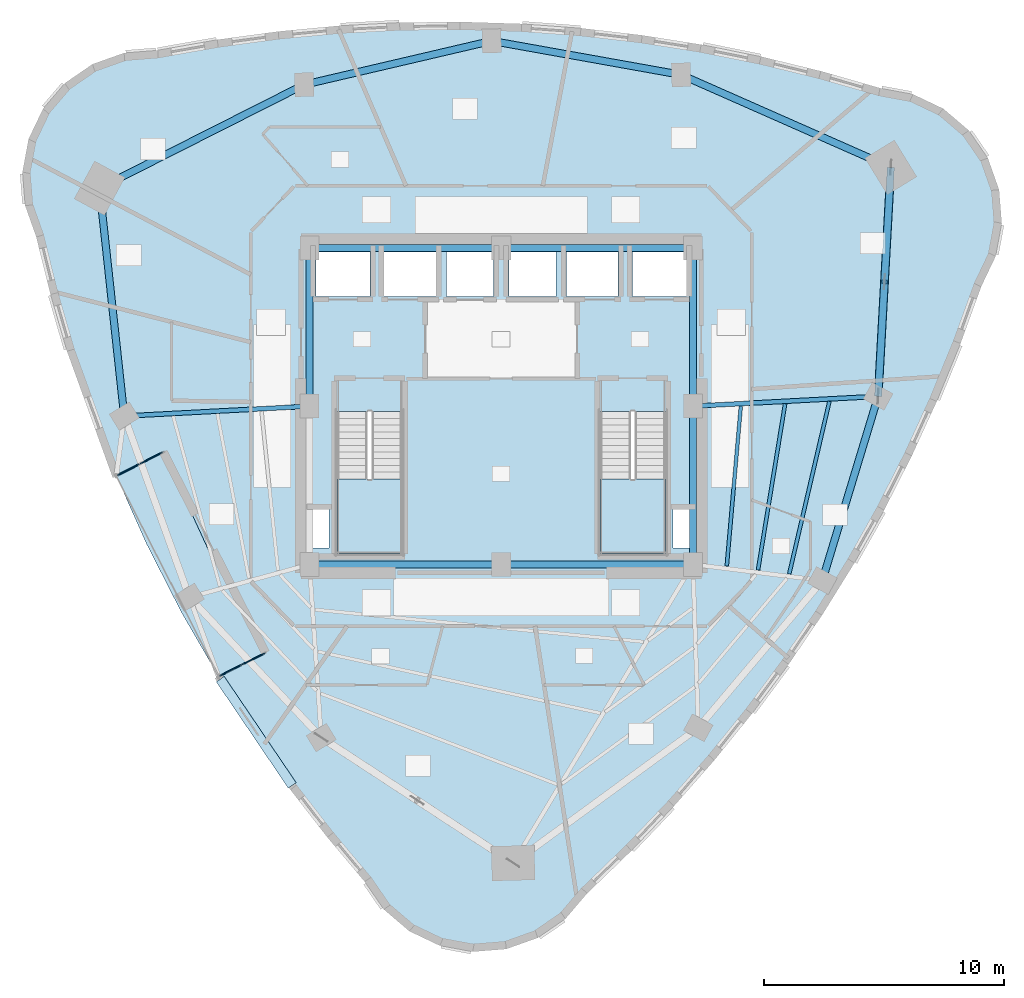
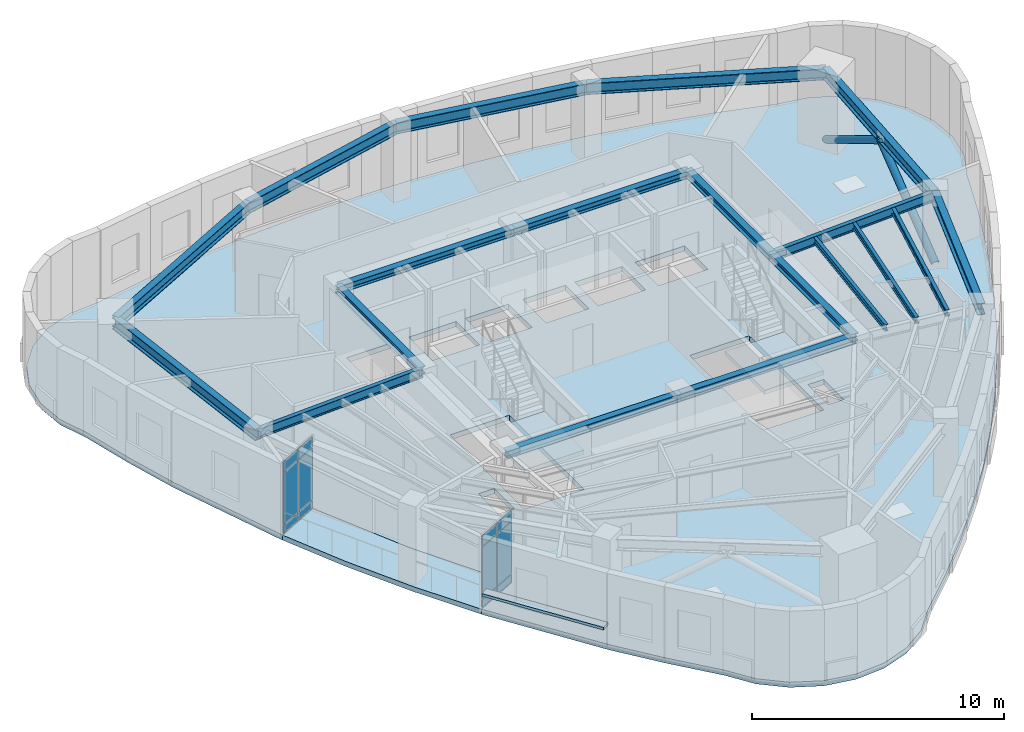
# One storey, part 5 of 13: 19 beams, 13 plates, 4 slabs, 2 members, 4 elements without a shape of their own.
"""IFC4 building model written with IfcOpenShell, lengths in metres."""

from ifc_helpers import new_model, si_unit, direction, frame, origin, origin_2d, place, context, subcontext, project, spatial, polyline, rectangle, hollow_circle, i_section, outline, extrude, material, layer, layer_set, material_profile, profile_set, type_object, element, aggregate, save


model = new_model("IFC4")

# Units and contexts
model_context = context("Model", 3, precision=1e-05, world=origin(), true_north=direction((0.0, 1.0)))
body_context = subcontext(model_context, "Body", "Model", "MODEL_VIEW")
ifc_project = project(units=[si_unit("LENGTHUNIT", "METRE"), si_unit("AREAUNIT", "SQUARE_METRE"), si_unit("VOLUMEUNIT", "CUBIC_METRE"), si_unit("PLANEANGLEUNIT", "RADIAN"), si_unit("MASSUNIT", "GRAM", prefix="KILO")], contexts=[model_context])

# Site, building, storey
site_placement = place(None, origin())
site = spatial("IfcSite", under=ifc_project, at=site_placement, CompositionType="ELEMENT")
building_placement = place(site_placement, origin())
building = spatial("IfcBuilding", under=site, at=building_placement, Name="Ndelora Gate Hotel", CompositionType="ELEMENT")
storey_placement = place(building_placement, frame((0.0, 0.0, 197.949951171875)))
storey = spatial("IfcBuildingStorey", under=building, at=storey_placement, Name="L49", CompositionType="ELEMENT", Elevation=197.949951171875)

# Beams
ifc_material_1 = material(Name="Steel S355", Category="steel")
ifc_material_profile_1 = material_profile(ifc_material_1, i_section(OverallWidth=0.300048828125, OverallDepth=0.35009765625, WebThickness=0.010009765625, FlangeThickness=0.017578125, FilletRadius=0.027099609375, at=origin_2d()), Name="HEA 360")
ifc_profile_set_1 = profile_set([ifc_material_profile_1], Name="Steel S355")
beam_type_1 = type_object("IfcBeamType", Name="BM-CORE-350", PredefinedType="BEAM", material=ifc_profile_set_1)
for number, where, z_axis, x_axis, name in (
    (1, (-8.0, 6.60009765625, 3.375), (1.0, 0.0, 0.0), (0.0, 1.0, 0.0), "L49 Core Tie Girder CC7-CC6"),
    (2, (0.0, 6.60009765625, 3.375), (1.0, 0.0, 0.0), (0.0, 1.0, 0.0), "L49 Core Tie Girder CC6-CC5"),
):
    element("IfcBeam", number, at=place(storey_placement, frame(where, z_axis=z_axis, x_axis=x_axis)), inside=storey, type_object=beam_type_1, Name=name, PredefinedType="BEAM", context=body_context, shape_type="SweptSolid", body=[
        extrude(i_section(OverallWidth=0.300048828125, OverallDepth=0.35009765625, WebThickness=0.010009765625, FlangeThickness=0.017578125, FilletRadius=0.027099609375, at=origin_2d()), origin(), (0.0, 0.0, 1.0), 8.0),
    ])
for number, where, z_axis, x_axis, name in (
    (3, (-8.0, 0.0, 3.375), (0.0, 1.0, 0.0), (-1.0, 0.0, 0.0), "L49 Core Tie Girder CC8-CC7"),
    (4, (8.0, -6.60009765625, 3.375), (0.0, 1.0, 0.0), (-1.0, 0.0, 0.0), "L49 Core Tie Girder CC3-CC4"),
    (5, (8.0, 0.0, 3.375), (0.0, 1.0, 0.0), (-1.0, 0.0, 0.0), "L49 Core Tie Girder CC4-CC5"),
):
    element("IfcBeam", number, at=place(storey_placement, frame(where, z_axis=z_axis, x_axis=x_axis)), inside=storey, type_object=beam_type_1, Name=name, PredefinedType="BEAM", context=body_context, shape_type="SweptSolid", body=[
        extrude(i_section(OverallWidth=0.300048828125, OverallDepth=0.35009765625, WebThickness=0.010009765625, FlangeThickness=0.017578125, FilletRadius=0.027099609375, at=origin_2d()), origin(), (0.0, 0.0, 1.0), 6.60009765625),
    ])
for number, where, z_axis, x_axis, name in (
    (6, (-8.0, -6.60009765625, 3.375), (1.0, 0.0, 0.0), (0.0, 1.0, 0.0), "L49 Core Tie Girder CC1-CC2"),
    (7, (0.0, -6.60009765625, 3.375), (1.0, 0.0, 0.0), (0.0, 1.0, 0.0), "L49 Core Tie Girder CC2-CC3"),
):
    element("IfcBeam", number, at=place(storey_placement, frame(where, z_axis=z_axis, x_axis=x_axis)), inside=storey, type_object=beam_type_1, Name=name, PredefinedType="BEAM", context=body_context, shape_type="SweptSolid", body=[
        extrude(i_section(OverallWidth=0.300048828125, OverallDepth=0.35009765625, WebThickness=0.010009765625, FlangeThickness=0.017578125, FilletRadius=0.027099609375, at=origin_2d()), origin(), (0.0, 0.0, 1.0), 8.0),
    ])
ifc_material_profile_2 = material_profile(ifc_material_1, i_section(OverallWidth=0.14990234375, OverallDepth=0.300048828125, WebThickness=0.007080078125, FlangeThickness=0.0107421875, FilletRadius=0.014892578125, at=origin_2d()), Name="IPE 300")
ifc_profile_set_2 = profile_set([ifc_material_profile_2], Name="Steel S355")
beam_type_2 = type_object("IfcBeamType", Name="BM-JST-300", PredefinedType="JOIST", material=ifc_profile_set_2)
beam_1_placement = place(storey_placement, frame((9.413330078125, -6.671142578125, 3.400146484375), z_axis=(0.087643872384, 0.996151871771, 0.0), x_axis=(-0.996151871771, 0.087643872384, 0.0)))
element("IfcBeam", 8, at=beam_1_placement, inside=storey, type_object=beam_type_2, Name="L49 Secondary Composite Floor Joist IN-7", PredefinedType="JOIST", context=body_context, shape_type="SweptSolid", body=[
    extrude(i_section(OverallWidth=0.14990234375, OverallDepth=0.300048828125, WebThickness=0.007080078125, FlangeThickness=0.0107421875, FilletRadius=0.014892578125, at=origin_2d()), origin(), (0.0, 0.0, 1.0), 6.699462890625),
])
beam_2_placement = place(storey_placement, frame((10.717041015625, -6.834228515625, 3.400146484375), z_axis=(0.160939239626, 0.986964316046, 0.0), x_axis=(-0.986964316046, 0.160939239626, 0.0)))
element("IfcBeam", 9, at=beam_2_placement, inside=storey, type_object=beam_type_2, Name="L49 Secondary Composite Floor Joist MID-7", PredefinedType="JOIST", context=body_context, shape_type="SweptSolid", body=[
    extrude(i_section(OverallWidth=0.14990234375, OverallDepth=0.300048828125, WebThickness=0.007080078125, FlangeThickness=0.0107421875, FilletRadius=0.014892578125, at=origin_2d()), origin(), (0.0, 0.0, 1.0), 7.028076171875),
])
beam_3_placement = place(storey_placement, frame((12.02001953125, -6.997802734375, 3.400146484375), z_axis=(0.22674518397, 0.973954116756, 0.0), x_axis=(-0.973954116756, 0.22674518397, 0.0)))
element("IfcBeam", 10, at=beam_3_placement, inside=storey, type_object=beam_type_2, Name="L49 Secondary Composite Floor Joist OUT-7", PredefinedType="JOIST", context=body_context, shape_type="SweptSolid", body=[
    extrude(i_section(OverallWidth=0.14990234375, OverallDepth=0.300048828125, WebThickness=0.007080078125, FlangeThickness=0.0107421875, FilletRadius=0.014892578125, at=origin_2d()), origin(), (0.0, 0.0, 1.0), 7.392822265625),
])
ifc_material_profile_3 = material_profile(ifc_material_1, i_section(OverallWidth=0.18994140625, OverallDepth=0.449951171875, WebThickness=0.009521484375, FlangeThickness=0.0146484375, FilletRadius=0.02099609375, at=origin_2d()), Name="IPE 450")
ifc_profile_set_3 = profile_set([ifc_material_profile_3], Name="Steel S355")
beam_type_3 = type_object("IfcBeamType", Name="BM-RAD-450", PredefinedType="BEAM", material=ifc_profile_set_3)
for number, where, z_axis, x_axis, name in (
    (11, (-8.0, 0.0, 3.324951171875), (-0.998583554121, -0.053206065814, 0.0), (0.053206065814, -0.998583554121, 0.0), "L49 Radial Floor Girder 2"),
    (12, (8.0, 0.0, 3.324951171875), (0.998583554121, 0.053206065814, 0.0), (-0.053206065814, 0.998583554121, 0.0), "L49 Radial Floor Girder 8"),
):
    element("IfcBeam", number, at=place(storey_placement, frame(where, z_axis=z_axis, x_axis=x_axis)), inside=storey, type_object=beam_type_3, Name=name, PredefinedType="BEAM", context=body_context, shape_type="SweptSolid", body=[
        extrude(i_section(OverallWidth=0.18994140625, OverallDepth=0.449951171875, WebThickness=0.009521484375, FlangeThickness=0.0146484375, FilletRadius=0.02099609375, at=origin_2d()), origin(), (0.0, 0.0, 1.0), 7.740966796875),
    ])
ifc_material_profile_4 = material_profile(ifc_material_1, i_section(OverallWidth=0.300048828125, OverallDepth=0.550048828125, WebThickness=0.014892578125, FlangeThickness=0.029052734375, FilletRadius=0.027099609375, at=origin_2d()), Name="HEB 550")
ifc_profile_set_4 = profile_set([ifc_material_profile_4], Name="Steel S355")
beam_type_4 = type_object("IfcBeamType", Name="BM-RING-550", PredefinedType="SPANDREL", material=ifc_profile_set_4)
beam_4_placement = place(storey_placement, frame((-16.759521484375, 9.099609375, 3.275146484375), z_axis=(0.107613416645, -0.994192814578, 0.0), x_axis=(0.994192814578, 0.107613416645, 0.0)))
element("IfcBeam", 13, at=beam_4_placement, inside=storey, type_object=beam_type_4, Name="L49 Perimeter Spandrel Girder 1", PredefinedType="SPANDREL", context=body_context, shape_type="SweptSolid", body=[
    extrude(i_section(OverallWidth=0.300048828125, OverallDepth=0.550048828125, WebThickness=0.014892578125, FlangeThickness=0.029052734375, FilletRadius=0.027099609375, at=origin_2d()), origin(), (0.0, 0.0, 1.0), 9.567138671875),
])
beam_5_placement = place(storey_placement, frame((13.400390625, -7.275634765625, 3.275146484375), z_axis=(0.290012456561, 0.957022870698, 0.0), x_axis=(-0.957022870698, 0.290012456561, 0.0)))
element("IfcBeam", 14, at=beam_5_placement, inside=storey, type_object=beam_type_4, Name="L49 Perimeter Spandrel Girder 7", PredefinedType="SPANDREL", context=body_context, shape_type="SweptSolid", body=[
    extrude(i_section(OverallWidth=0.300048828125, OverallDepth=0.550048828125, WebThickness=0.014892578125, FlangeThickness=0.029052734375, FilletRadius=0.027099609375, at=origin_2d()), origin(), (0.0, 0.0, 1.0), 8.03271484375),
])
beam_6_placement = place(storey_placement, frame((15.72998046875, 0.411865234375, 3.275146484375), z_axis=(0.055426206248, 0.998462786318, 0.0), x_axis=(-0.998462786318, 0.055426206248, 0.0)))
element("IfcBeam", 15, at=beam_6_placement, inside=storey, type_object=beam_type_4, Name="L49 Perimeter Spandrel Girder 8", PredefinedType="SPANDREL", context=body_context, shape_type="SweptSolid", body=[
    extrude(i_section(OverallWidth=0.300048828125, OverallDepth=0.550048828125, WebThickness=0.014892578125, FlangeThickness=0.029052734375, FilletRadius=0.027099609375, at=origin_2d()), origin(), (0.0, 0.0, 1.0), 9.567138671875),
])
beam_7_placement = place(storey_placement, frame((16.26025390625, 9.96435546875, 3.275146484375), z_axis=(-0.914807449647, 0.403890245078, 0.0), x_axis=(-0.403890245078, -0.914807449647, 0.0)))
element("IfcBeam", 16, at=beam_7_placement, inside=storey, type_object=beam_type_4, Name="L49 Perimeter Spandrel Girder 9", PredefinedType="SPANDREL", context=body_context, shape_type="SweptSolid", body=[
    extrude(i_section(OverallWidth=0.300048828125, OverallDepth=0.550048828125, WebThickness=0.014892578125, FlangeThickness=0.029052734375, FilletRadius=0.027099609375, at=origin_2d()), origin(), (0.0, 0.0, 1.0), 9.56689453125),
])
for number, where, z_axis, x_axis, name in (
    (17, (7.50830078125, 13.828369140625, 3.275146484375), (-0.984373619655, 0.176092523767, 0.0), (-0.176092523767, -0.984373619655, 0.0), "L49 Perimeter Spandrel Girder 10"),
    (18, (-0.399169921875, 15.242919921875, 3.275146484375), (-0.973809142107, -0.227367004529, 0.0), (0.227367004529, -0.973809142107, 0.0), "L49 Perimeter Spandrel Girder 11"),
):
    element("IfcBeam", number, at=place(storey_placement, frame(where, z_axis=z_axis, x_axis=x_axis)), inside=storey, type_object=beam_type_4, Name=name, PredefinedType="SPANDREL", context=body_context, shape_type="SweptSolid", body=[
        extrude(i_section(OverallWidth=0.300048828125, OverallDepth=0.550048828125, WebThickness=0.014892578125, FlangeThickness=0.029052734375, FilletRadius=0.027099609375, at=origin_2d()), origin(), (0.0, 0.0, 1.0), 8.032958984375),
    ])
beam_8_placement = place(storey_placement, frame((-8.2216796875, 13.41650390625, 3.275146484375), z_axis=(-0.89241242978, -0.451220628045, 0.0), x_axis=(0.451220628045, -0.89241242978, 0.0)))
element("IfcBeam", 19, at=beam_8_placement, inside=storey, type_object=beam_type_4, Name="L49 Perimeter Spandrel Girder 12", PredefinedType="SPANDREL", context=body_context, shape_type="SweptSolid", body=[
    extrude(i_section(OverallWidth=0.300048828125, OverallDepth=0.550048828125, WebThickness=0.014892578125, FlangeThickness=0.029052734375, FilletRadius=0.027099609375, at=origin_2d()), origin(), (0.0, 0.0, 1.0), 9.567138671875),
])

# Members
ifc_material_profile_5 = material_profile(ifc_material_1, hollow_circle(Radius=0.161865234375, WallThickness=0.01611328125, at=origin_2d()), Name="CHS 323.9x16")
ifc_profile_set_5 = profile_set([ifc_material_profile_5], Name="Steel S355")
member_type = type_object("IfcMemberType", Name="MB-TUBE-324", PredefinedType="BRACE", material=ifc_profile_set_5)
member_1_placement = place(storey_placement, frame((15.72998046875, 0.411865234375, 0.02001953125), z_axis=(0.047045319089, 0.847465540823, 0.528761661876), x_axis=(-0.99846270792, 0.055427618504, 0.0)))
element("IfcMember", 20, at=member_1_placement, inside=storey, type_object=member_type, Name="L49 Perimeter Braced-Tube Diagonal 8A", PredefinedType="BRACE", context=body_context, shape_type="SweptSolid", body=[
    extrude(hollow_circle(Radius=0.161865234375, WallThickness=0.01611328125, at=origin_2d()), origin(), (0.0, 0.0, 1.0), 5.6357421875),
])
member_2_placement = place(storey_placement, frame((16.26025390625, 9.96435546875, 0.02001953125), z_axis=(-0.04704359201, -0.847477747768, 0.528742250524), x_axis=(0.998462864709, -0.055424794064, 0.0)))
element("IfcMember", 21, at=member_2_placement, inside=storey, type_object=member_type, Name="L49 Perimeter Braced-Tube Diagonal 8B", PredefinedType="BRACE", context=body_context, shape_type="SweptSolid", body=[
    extrude(hollow_circle(Radius=0.161865234375, WallThickness=0.01611328125, at=origin_2d()), origin(), (0.0, 0.0, 1.0), 5.635986328125),
])

# Curtain wall, plates
ifc_material_2 = material(Name="Bronze Anodised Unitised Aluminium and Low-E Glass", Category="aluminium")
ifc_layer_1 = layer(ifc_material_2, 0.199951171875)
ifc_layer_set_1 = layer_set([ifc_layer_1], Name="Bronze Anodised Unitised Aluminium and Low-E Glass")
curtain_wall_type = type_object("IfcCurtainWallType", Name="CW-SYS-3", PredefinedType="NOTDEFINED", material=ifc_layer_set_1)
curtain_wall_1_placement = place(storey_placement, origin())
curtain_wall_1 = element("IfcCurtainWall", 22, at=curtain_wall_1_placement, inside=storey, type_object=curtain_wall_type, Name="L49 Sky-Garden Loggia Side Curtain Wall CW3-1", PredefinedType="NOTDEFINED")
ifc_material_3 = material(Name="Solar-Control Low-E Insulated Glazing", Category="glass")
ifc_layer_2 = layer(ifc_material_3, 0.048095703125)
ifc_layer_set_2 = layer_set([ifc_layer_2], Name="Solar-Control Low-E Insulated Glazing")
plate_type_1 = type_object("IfcPlateType", Name="PL-CW-GLZ36", PredefinedType="CURTAIN_PANEL", material=ifc_layer_set_2)
plate_1_placement = place(storey_placement, frame((-14.6044921875, -2.166259765625, 0.05908203125), z_axis=(0.0, 0.0, 1.0), x_axis=(-0.891001336507, -0.454000680995, 0.0)))
plate_1 = element("IfcPlate", 23, at=plate_1_placement, type_object=plate_type_1, Name="CW3 panel 1.1", PredefinedType="CURTAIN_PANEL", context=body_context, shape_type="SweptSolid", body=[
    extrude(rectangle(XDim=1.014404296875, YDim=0.048095703125, at=origin_2d()), origin(), (0.0, 0.0, 1.0), 0.364501953125),
])
plate_2_placement = place(storey_placement, frame((-14.6044921875, -2.166259765625, 0.4765625), z_axis=(0.0, 0.0, 1.0), x_axis=(-0.891001336507, -0.454000680995, 0.0)))
plate_2 = element("IfcPlate", 24, at=plate_2_placement, type_object=plate_type_1, Name="CW3 panel 1.2", PredefinedType="CURTAIN_PANEL", context=body_context, shape_type="SweptSolid", body=[
    extrude(rectangle(XDim=1.014404296875, YDim=0.048095703125, at=origin_2d()), origin(), (0.0, 0.0, 1.0), 2.4970703125),
])
plate_3_placement = place(storey_placement, frame((-14.6044921875, -2.166259765625, 3.0263671875), z_axis=(0.0, 0.0, 1.0), x_axis=(-0.891001336507, -0.454000680995, 0.0)))
plate_3 = element("IfcPlate", 25, at=plate_3_placement, type_object=plate_type_1, Name="CW3 panel 1.3", PredefinedType="CURTAIN_PANEL", context=body_context, shape_type="SweptSolid", body=[
    extrude(rectangle(XDim=1.014404296875, YDim=0.048095703125, at=origin_2d()), origin(), (0.0, 0.0, 1.0), 0.464599609375),
])
plate_4_placement = place(storey_placement, frame((-15.5556640625, -2.651123046875, 0.05908203125), z_axis=(0.0, 0.0, 1.0), x_axis=(-0.891001336507, -0.454000680995, 0.0)))
plate_4 = element("IfcPlate", 26, at=plate_4_placement, type_object=plate_type_1, Name="CW3 panel 2.1", PredefinedType="CURTAIN_PANEL", context=body_context, shape_type="SweptSolid", body=[
    extrude(rectangle(XDim=1.014404296875, YDim=0.048095703125, at=origin_2d()), origin(), (0.0, 0.0, 1.0), 0.364501953125),
])
plate_5_placement = place(storey_placement, frame((-15.5556640625, -2.651123046875, 0.4765625), z_axis=(0.0, 0.0, 1.0), x_axis=(-0.891001336507, -0.454000680995, 0.0)))
plate_5 = element("IfcPlate", 27, at=plate_5_placement, type_object=plate_type_1, Name="CW3 panel 2.2", PredefinedType="CURTAIN_PANEL", context=body_context, shape_type="SweptSolid", body=[
    extrude(rectangle(XDim=1.014404296875, YDim=0.048095703125, at=origin_2d()), origin(), (0.0, 0.0, 1.0), 2.4970703125),
])
plate_6_placement = place(storey_placement, frame((-15.5556640625, -2.651123046875, 3.0263671875), z_axis=(0.0, 0.0, 1.0), x_axis=(-0.891001336507, -0.454000680995, 0.0)))
plate_6 = element("IfcPlate", 28, at=plate_6_placement, type_object=plate_type_1, Name="CW3 panel 2.3", PredefinedType="CURTAIN_PANEL", context=body_context, shape_type="SweptSolid", body=[
    extrude(rectangle(XDim=1.014404296875, YDim=0.048095703125, at=origin_2d()), origin(), (0.0, 0.0, 1.0), 0.464599609375),
])
aggregate(curtain_wall_1, [plate_1, plate_2, plate_3, plate_4, plate_5, plate_6])

curtain_wall_2_placement = place(storey_placement, origin())
curtain_wall_2 = element("IfcCurtainWall", 29, at=curtain_wall_2_placement, inside=storey, type_object=curtain_wall_type, Name="L49 Sky-Garden Loggia Side Curtain Wall CW3-2", PredefinedType="NOTDEFINED")
plate_7_placement = place(storey_placement, frame((-11.2880859375, -11.026611328125, 0.05908203125), z_axis=(0.0, 0.0, 1.0), x_axis=(0.891001336507, 0.454000680995, 0.0)))
plate_7 = element("IfcPlate", 30, at=plate_7_placement, type_object=plate_type_1, Name="CW3 panel 1.1", PredefinedType="CURTAIN_PANEL", context=body_context, shape_type="SweptSolid", body=[
    extrude(rectangle(XDim=1.014404296875, YDim=0.048095703125, at=origin_2d()), origin(), (0.0, 0.0, 1.0), 0.364501953125),
])
plate_8_placement = place(storey_placement, frame((-11.2880859375, -11.026611328125, 0.4765625), z_axis=(0.0, 0.0, 1.0), x_axis=(0.891001336507, 0.454000680995, 0.0)))
plate_8 = element("IfcPlate", 31, at=plate_8_placement, type_object=plate_type_1, Name="CW3 panel 1.2", PredefinedType="CURTAIN_PANEL", context=body_context, shape_type="SweptSolid", body=[
    extrude(rectangle(XDim=1.014404296875, YDim=0.048095703125, at=origin_2d()), origin(), (0.0, 0.0, 1.0), 2.4970703125),
])
plate_9_placement = place(storey_placement, frame((-11.2880859375, -11.026611328125, 3.0263671875), z_axis=(0.0, 0.0, 1.0), x_axis=(0.891001336507, 0.454000680995, 0.0)))
plate_9 = element("IfcPlate", 32, at=plate_9_placement, type_object=plate_type_1, Name="CW3 panel 1.3", PredefinedType="CURTAIN_PANEL", context=body_context, shape_type="SweptSolid", body=[
    extrude(rectangle(XDim=1.014404296875, YDim=0.048095703125, at=origin_2d()), origin(), (0.0, 0.0, 1.0), 0.464599609375),
])
plate_10_placement = place(storey_placement, frame((-10.3369140625, -10.5419921875, 0.05908203125), z_axis=(0.0, 0.0, 1.0), x_axis=(0.891001336507, 0.454000680995, 0.0)))
plate_10 = element("IfcPlate", 33, at=plate_10_placement, type_object=plate_type_1, Name="CW3 panel 2.1", PredefinedType="CURTAIN_PANEL", context=body_context, shape_type="SweptSolid", body=[
    extrude(rectangle(XDim=1.014404296875, YDim=0.048095703125, at=origin_2d()), origin(), (0.0, 0.0, 1.0), 0.364501953125),
])
plate_11_placement = place(storey_placement, frame((-10.3369140625, -10.5419921875, 0.4765625), z_axis=(0.0, 0.0, 1.0), x_axis=(0.891001336507, 0.454000680995, 0.0)))
plate_11 = element("IfcPlate", 34, at=plate_11_placement, type_object=plate_type_1, Name="CW3 panel 2.2", PredefinedType="CURTAIN_PANEL", context=body_context, shape_type="SweptSolid", body=[
    extrude(rectangle(XDim=1.014404296875, YDim=0.048095703125, at=origin_2d()), origin(), (0.0, 0.0, 1.0), 2.4970703125),
])
plate_12_placement = place(storey_placement, frame((-10.3369140625, -10.5419921875, 3.0263671875), z_axis=(0.0, 0.0, 1.0), x_axis=(0.891001336507, 0.454000680995, 0.0)))
plate_12 = element("IfcPlate", 35, at=plate_12_placement, type_object=plate_type_1, Name="CW3 panel 2.3", PredefinedType="CURTAIN_PANEL", context=body_context, shape_type="SweptSolid", body=[
    extrude(rectangle(XDim=1.014404296875, YDim=0.048095703125, at=origin_2d()), origin(), (0.0, 0.0, 1.0), 0.464599609375),
])
aggregate(curtain_wall_2, [plate_7, plate_8, plate_9, plate_10, plate_11, plate_12])

# Plate
ifc_material_4 = material(Name="Precast concrete C40/50", Category="concrete")
ifc_layer_3 = layer(ifc_material_4, 0.125)
ifc_layer_set_3 = layer_set([ifc_layer_3], Name="Precast concrete C40/50")
plate_type_2 = type_object("IfcPlateType", Name="PL-SILL-120", PredefinedType="USERDEFINED", material=ifc_layer_set_3)
plate_13_placement = place(storey_placement, frame((-10.220458984375, -13.6044921875, 0.78759765625), z_axis=(0.0, 0.0, 1.0), x_axis=(-0.560783509816, 0.827962472047, 0.0)))
element("IfcPlate", 36, at=plate_13_placement, inside=storey, type_object=plate_type_2, Name="L49 Streamline Precast Ribbon Sill 16", ObjectType="RIBBON_SILL", PredefinedType="USERDEFINED", context=body_context, shape_type="SweptSolid", body=[
    extrude(rectangle(XDim=5.35693359375, YDim=0.39990234375, at=origin_2d()), origin(), (0.0, 0.0, 1.0), 0.125),
])

# Stair, slab
stair_type = type_object("IfcStairType", Name="STR-DOG-CORE", PredefinedType="HALF_TURN_STAIR", material=ifc_material_4)
stair_1_placement = place(storey_placement, origin())
stair_1 = element("IfcStair", 37, at=stair_1_placement, inside=storey, type_object=stair_type, Name="L49 Protected Core Exit Stair ST4", PredefinedType="HALF_TURN_STAIR")
ifc_layer_4 = layer(ifc_material_4, 0.219970703125)
ifc_layer_set_4 = layer_set([ifc_layer_4], Name="Precast concrete C40/50")
slab_type_1 = type_object("IfcSlabType", Name="SL-LAND-220", PredefinedType="LANDING", material=ifc_layer_set_4)
slab_1_placement = place(storey_placement, frame((0.0, 0.0, 1.699951171875)))
slab_1 = element("IfcSlab", 38, at=slab_1_placement, type_object=slab_type_1, Name="ST4 landing 1", PredefinedType="LANDING", context=body_context, shape_type="SweptSolid", body=[
    extrude(outline(polyline([(-6.85009765625, -3.030029296875), (-6.85009765625, -6.14990234375), (-4.1298828125, -6.14990234375), (-4.1298828125, -3.030029296875), (-6.85009765625, -3.030029296875)])), origin(), (0.0, 0.0, 1.0), 0.2001953125),
])
aggregate(stair_1, [slab_1])

stair_2_placement = place(storey_placement, origin())
stair_2 = element("IfcStair", 39, at=stair_2_placement, inside=storey, type_object=stair_type, Name="L49 Protected Core Exit Stair ST5", PredefinedType="HALF_TURN_STAIR")
slab_2_placement = place(storey_placement, frame((0.0, 0.0, 1.699951171875)))
slab_2 = element("IfcSlab", 40, at=slab_2_placement, type_object=slab_type_1, Name="ST5 landing 1", PredefinedType="LANDING", context=body_context, shape_type="SweptSolid", body=[
    extrude(outline(polyline([(4.1298828125, -3.030029296875), (4.1298828125, -6.14990234375), (6.85009765625, -6.14990234375), (6.85009765625, -3.030029296875), (4.1298828125, -3.030029296875)])), origin(), (0.0, 0.0, 1.0), 0.2001953125),
])
aggregate(stair_2, [slab_2])

# Slabs
ifc_layer_5 = layer(ifc_material_4, 0.239990234375)
ifc_layer_set_5 = layer_set([ifc_layer_5], Name="Precast concrete C40/50")
slab_type_2 = type_object("IfcSlabType", Name="SL-TER-240", PredefinedType="FLOOR", material=ifc_layer_set_5)
slab_3_placement = place(storey_placement, frame((0.0, 0.0, -0.239990234375)))
element("IfcSlab", 41, at=slab_3_placement, inside=storey, type_object=slab_type_2, Name="L49 Sky Garden Loggia Terrace Slab", PredefinedType="FLOOR", context=body_context, shape_type="SweptSolid", body=[
    extrude(outline(polyline([(-14.099853515625, -1.9091796875), (-16.06005859375, -2.908203125), (-14.797119140625, -5.74609375), (-13.345947265625, -8.593505859375), (-11.79248046875, -11.28369140625), (-9.83251953125, -10.284912109375), (-12.13037109375, -6.1806640625), (-14.099853515625, -1.9091796875)])), origin(), (0.0, 0.0, 1.0), 0.239990234375),
])
ifc_material_5 = material(Name="Concrete C40/50", Category="concrete")
ifc_layer_6 = layer(ifc_material_5, 0.25)
ifc_layer_set_6 = layer_set([ifc_layer_6], Name="Concrete C40/50")
slab_type_3 = type_object("IfcSlabType", Name="SL-TWR-250", PredefinedType="FLOOR", material=ifc_layer_set_6)
slab_4_placement = place(storey_placement, frame((0.0, 0.0, -0.25)))
element("IfcSlab", 42, at=slab_4_placement, inside=storey, type_object=slab_type_3, Name="L49 Structural Floor Slab", PredefinedType="FLOOR", context=body_context, shape_type="SweptSolid", body=[
    extrude(outline(polyline([(-14.344482421875, 14.68505859375), (-15.69775390625, 14.57861328125), (-16.977294921875, 14.12548828125), (-18.09619140625, 13.3564453125), (-18.977783203125, 12.32421875), (-19.56201171875, 11.09912109375), (-19.8095703125, 9.764404296875), (-19.702880859375, 8.410888671875), (-19.249755859375, 7.13134765625), (-18.65185546875, 4.7255859375), (-17.96728515625, 2.3642578125), (-16.06005859375, -2.908203125), (-14.099853515625, -1.9091796875), (-12.13037109375, -6.1806640625), (-9.83251953125, -10.284912109375), (-11.79248046875, -11.28369140625), (-8.648193359375, -15.92529296875), (-7.14013671875, -17.867431640625), (-5.54541015625, -19.76513671875), (-4.776611328125, -20.8837890625), (-3.744140625, -21.765380859375), (-2.51904296875, -22.349853515625), (-1.184326171875, -22.597412109375), (0.1689453125, -22.49072265625), (1.448486328125, -22.03759765625), (2.5673828125, -21.268798828125), (3.448974609375, -20.236572265625), (5.305908203125, -18.443115234375), (7.074462890625, -16.592041015625), (8.75439453125, -14.68359375), (10.345703125, -12.717529296875), (11.848388671875, -10.694091796875), (13.262939453125, -8.613037109375), (14.588623046875, -6.474609375), (15.825927734375, -4.278564453125), (16.974609375, -2.025146484375), (18.034912109375, 0.285888671875), (19.006591796875, 2.654296875), (19.889892578125, 5.080078125), (20.47412109375, 6.305419921875), (20.7216796875, 7.64013671875), (20.614990234375, 8.993408203125), (20.161865234375, 10.27294921875), (19.39306640625, 11.391845703125), (18.36083984375, 12.2734375), (17.135498046875, 12.85791015625), (15.80078125, 13.10498046875), (13.319091796875, 13.816650390625), (10.831787109375, 14.422607421875), (8.339111328125, 14.923095703125), (5.8408203125, 15.318359375), (3.3369140625, 15.608154296875), (0.82763671875, 15.79248046875), (-1.687255859375, 15.871337890625), (-4.20751953125, 15.844970703125), (-6.7333984375, 15.713134765625), (-9.264892578125, 15.475830078125), (-11.802001953125, 15.133056640625), (-14.344482421875, 14.68505859375)]), holes=[polyline([(-6.85009765625, -0.22998046875), (-6.85009765625, -6.14990234375), (-4.1298828125, -6.14990234375), (-4.1298828125, -0.22998046875), (-6.85009765625, -0.22998046875)]), polyline([(4.1298828125, -0.22998046875), (4.1298828125, -6.14990234375), (6.85009765625, -6.14990234375), (6.85009765625, -0.22998046875), (4.1298828125, -0.22998046875)]), polyline([(-7.72998046875, 4.570068359375), (-5.469970703125, 4.570068359375), (-5.469970703125, 6.429931640625), (-7.72998046875, 6.429931640625), (-7.72998046875, 4.570068359375)]), polyline([(5.469970703125, 4.570068359375), (7.72998046875, 4.570068359375), (7.72998046875, 6.429931640625), (5.469970703125, 6.429931640625), (5.469970703125, 4.570068359375)]), polyline([(-4.8798828125, 4.570068359375), (-2.719970703125, 4.570068359375), (-2.719970703125, 6.429931640625), (-4.8798828125, 6.429931640625), (-4.8798828125, 4.570068359375)]), polyline([(2.719970703125, 4.570068359375), (4.8798828125, 4.570068359375), (4.8798828125, 6.429931640625), (2.719970703125, 6.429931640625), (2.719970703125, 4.570068359375)]), polyline([(-2.280029296875, 4.570068359375), (-0.320068359375, 4.570068359375), (-0.320068359375, 6.429931640625), (-2.280029296875, 6.429931640625), (-2.280029296875, 4.570068359375)]), polyline([(0.320068359375, 4.570068359375), (2.280029296875, 4.570068359375), (2.280029296875, 6.429931640625), (0.320068359375, 6.429931640625), (0.320068359375, 4.570068359375)]), polyline([(-7.89990234375, -5.919921875), (-7.179931640625, -5.919921875), (-7.179931640625, -4.320068359375), (-7.89990234375, -4.320068359375), (-7.89990234375, -5.919921875)]), polyline([(7.179931640625, -5.919921875), (7.89990234375, -5.919921875), (7.89990234375, -4.320068359375), (7.179931640625, -4.320068359375), (7.179931640625, -5.919921875)])]), origin(), (0.0, 0.0, 1.0), 0.25),
])

save(model, "model.ifc")
